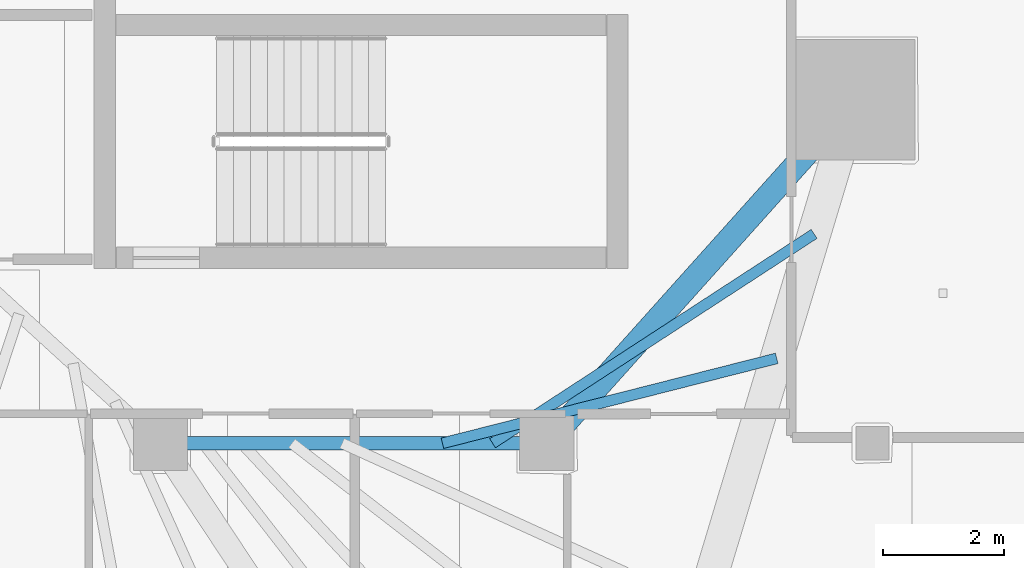
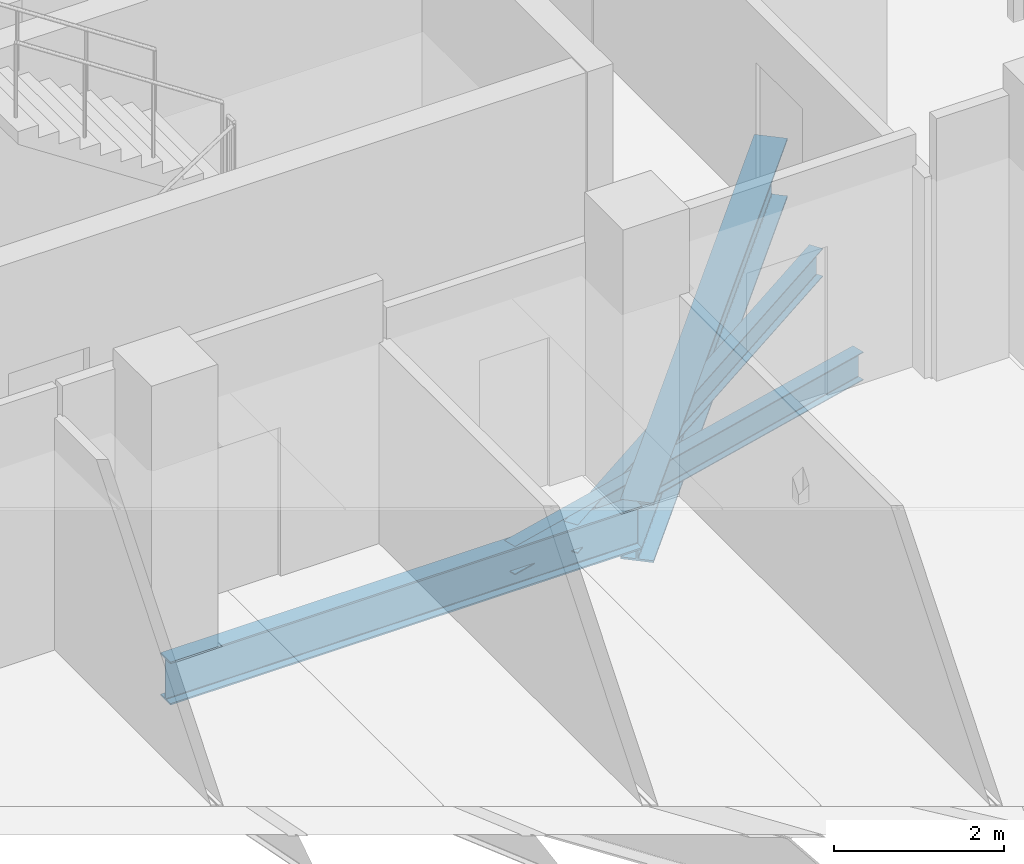
# One storey, part 11 of 37: 4 beams.
"""IFC4 building model written with IfcOpenShell, lengths in metres."""

from ifc_helpers import new_model, si_unit, direction, frame, origin, origin_2d, place, context, subcontext, project, spatial, i_section, extrude, material, material_profile, profile_set, type_object, element, save


model = new_model("IFC4")

# Units and contexts
model_context = context("Model", 3, precision=1e-05, world=origin(), true_north=direction((0.0, 1.0)))
body_context = subcontext(model_context, "Body", "Model", "MODEL_VIEW")
ifc_project = project(units=[si_unit("LENGTHUNIT", "METRE"), si_unit("AREAUNIT", "SQUARE_METRE"), si_unit("VOLUMEUNIT", "CUBIC_METRE"), si_unit("PLANEANGLEUNIT", "RADIAN"), si_unit("MASSUNIT", "GRAM", prefix="KILO")], contexts=[model_context])

# Site, building, storey
site_placement = place(None, origin())
site = spatial("IfcSite", under=ifc_project, at=site_placement, CompositionType="ELEMENT")
building_placement = place(site_placement, origin())
building = spatial("IfcBuilding", under=site, at=building_placement, Name="Qorvath Tower", CompositionType="ELEMENT")
storey_placement = place(building_placement, frame((0.0, 0.0, 184.800048828125)))
storey = spatial("IfcBuildingStorey", under=building, at=storey_placement, Name="L42", CompositionType="ELEMENT", Elevation=184.800048828125)

# Beams
ifc_material_1 = material(Name="Steel ASTM A992 Grade 50", Category="steel")
ifc_material_profile_1 = material_profile(ifc_material_1, i_section(OverallWidth=0.39892578125, OverallDepth=0.85498046875, WebThickness=0.018310546875, FlangeThickness=0.029296875, FilletRadius=0.02001953125, at=origin_2d()), Name="W33x201")
ifc_profile_set_1 = profile_set([ifc_material_profile_1], Name="Steel ASTM A992 Grade 50")
beam_type_1 = type_object("IfcBeamType", Name="BM-FG2", PredefinedType="BEAM", material=ifc_profile_set_1)
beam_1_placement = place(storey_placement, frame((-17.199951171875, -11.449951171875, -0.697509765625), z_axis=(0.667543184261, 0.744571082669, 0.0), x_axis=(-0.744571082669, 0.667543184261, 0.0)))
element("IfcBeam", 1, at=beam_1_placement, inside=storey, type_object=beam_type_1, Name="Radial Floor Girder CC3-MC4 L42", PredefinedType="BEAM", context=body_context, shape_type="SweptSolid", body=[
    extrude(i_section(OverallWidth=0.39892578125, OverallDepth=0.85498046875, WebThickness=0.018310546875, FlangeThickness=0.029296875, FilletRadius=0.02001953125, at=origin_2d()), origin(), (0.0, 0.0, 1.0), 7.644775390625),
])
ifc_material_2 = material(Name="Steel ASTM A992 Grade 50", Category="steel")
ifc_material_profile_2 = material_profile(ifc_material_2, i_section(OverallWidth=0.22998046875, OverallDepth=0.616943359375, WebThickness=0.01318359375, FlangeThickness=0.022216796875, FilletRadius=0.014892578125, at=origin_2d()), Name="W24x94")
ifc_profile_set_2 = profile_set([ifc_material_profile_2], Name="Steel ASTM A992 Grade 50")
beam_type_2 = type_object("IfcBeamType", Name="BM-FG6", PredefinedType="BEAM", material=ifc_profile_set_2)
beam_2_placement = place(storey_placement, frame((-17.199951171875, -11.449951171875, -0.57861328125), z_axis=(-1.0, 0.0, 0.0), x_axis=(0.0, -1.0, 0.0)))
element("IfcBeam", 2, at=beam_2_placement, inside=storey, type_object=beam_type_2, Name="Core Ring Girder CC3-CC4 L42", PredefinedType="BEAM", context=body_context, shape_type="SweptSolid", body=[
    extrude(i_section(OverallWidth=0.22998046875, OverallDepth=0.616943359375, WebThickness=0.01318359375, FlangeThickness=0.022216796875, FilletRadius=0.014892578125, at=origin_2d()), origin(), (0.0, 0.0, 1.0), 6.400146484375),
])
ifc_material_3 = material(Name="Steel ASTM A992 Grade 50", Category="steel")
ifc_material_profile_3 = material_profile(ifc_material_3, i_section(OverallWidth=0.177978515625, OverallDepth=0.406005859375, WebThickness=0.0078125, FlangeThickness=0.0126953125, FilletRadius=0.010986328125, at=origin_2d()), Name="W16x40")
ifc_profile_set_3 = profile_set([ifc_material_profile_3], Name="Steel ASTM A992 Grade 50")
beam_type_3 = type_object("IfcBeamType", Name="BM-FJ3", PredefinedType="JOIST", material=ifc_profile_set_3)
beam_3_placement = place(storey_placement, frame((-18.095947265625, -11.449951171875, -0.47314453125), z_axis=(0.838041756057, 0.545606098853, 0.0), x_axis=(-0.545606098853, 0.838041756057, 0.0)))
element("IfcBeam", 3, at=beam_3_placement, inside=storey, type_object=beam_type_3, Name="Composite Floor Joist SE1 L42", PredefinedType="JOIST", context=body_context, shape_type="SweptSolid", body=[
    extrude(i_section(OverallWidth=0.177978515625, OverallDepth=0.406005859375, WebThickness=0.0078125, FlangeThickness=0.0126953125, FilletRadius=0.010986328125, at=origin_2d()), origin(), (0.0, 0.0, 1.0), 6.36083984375),
])
beam_4_placement = place(storey_placement, frame((-18.927978515625, -11.449951171875, -0.47314453125), z_axis=(0.969231577698, 0.246150662794, 0.0), x_axis=(-0.246150662794, 0.969231577698, 0.0)))
element("IfcBeam", 4, at=beam_4_placement, inside=storey, type_object=beam_type_3, Name="Composite Floor Joist SE2 L42", PredefinedType="JOIST", context=body_context, shape_type="SweptSolid", body=[
    extrude(i_section(OverallWidth=0.177978515625, OverallDepth=0.406005859375, WebThickness=0.0078125, FlangeThickness=0.0126953125, FilletRadius=0.010986328125, at=origin_2d()), origin(), (0.0, 0.0, 1.0), 5.718017578125),
])

save(model, "model.ifc")
